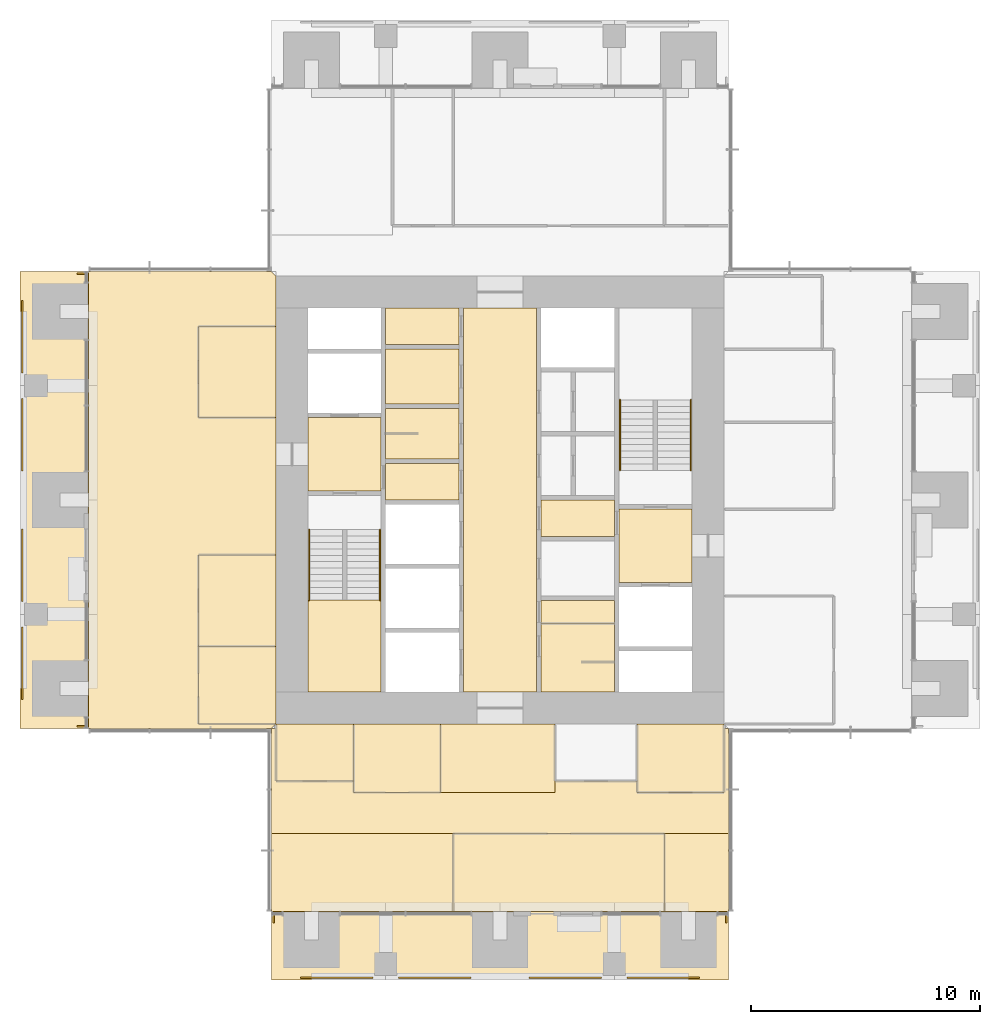
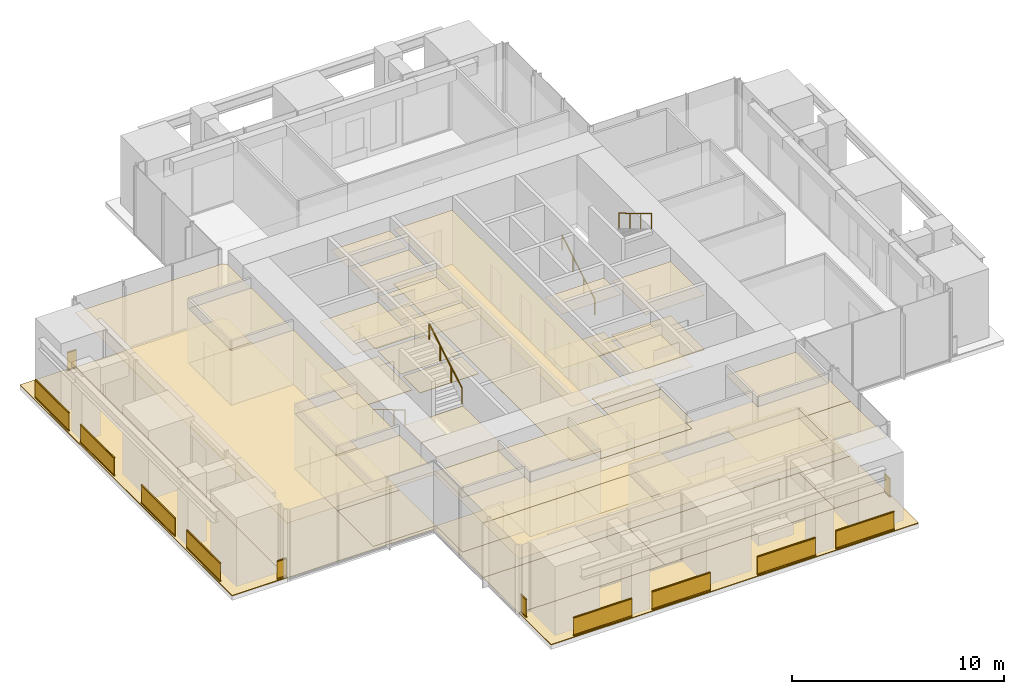
# One storey, part 15 of 17: 46 coverings, 16 railings.
"""IFC4 building model written with IfcOpenShell, lengths in metres."""

from ifc_helpers import new_model, si_unit, direction, frame, origin, origin_2d, place, context, subcontext, project, spatial, polyline, rectangle, circle, outline, extrude, material, layer, layer_set, type_object, element, save


model = new_model("IFC4")

# Units and contexts
model_context = context("Model", 3, precision=1e-05, world=origin(), true_north=direction((0.0, 1.0)))
body_context = subcontext(model_context, "Body", "Model", "MODEL_VIEW")
ifc_project = project(units=[si_unit("LENGTHUNIT", "METRE"), si_unit("AREAUNIT", "SQUARE_METRE"), si_unit("VOLUMEUNIT", "CUBIC_METRE"), si_unit("PLANEANGLEUNIT", "RADIAN"), si_unit("MASSUNIT", "GRAM", prefix="KILO")], contexts=[model_context])

# Site, building, storey
site_placement = place(None, origin())
site = spatial("IfcSite", under=ifc_project, at=site_placement, CompositionType="ELEMENT")
building_placement = place(site_placement, origin())
building = spatial("IfcBuilding", under=site, at=building_placement, Name="Svetlomir Tower", CompositionType="ELEMENT")
storey_placement = place(building_placement, frame((0.0, 0.0, 194.5)))
storey = spatial("IfcBuildingStorey", under=building, at=storey_placement, Name="L46", CompositionType="ELEMENT", Elevation=194.5)

# Railings
ifc_material_1 = material(Name="Bronze anodised aluminium and laminated glass", Category="aluminium")
railing_type_1 = type_object("IfcRailingType", Name="BALCONY GUARD GR1 1100", PredefinedType="GUARDRAIL", material=ifc_material_1)
for number, where, name in (
    (1, (12.27490234375, 0.10009765625, 0.0), "Loggia guard S L46 bay 1"),
    (2, (16.550048828125, 0.10009765625, 0.0), "Loggia guard S L46 bay 2"),
    (3, (22.27490234375, 0.10009765625, 0.0), "Loggia guard S L46 bay 3"),
    (4, (26.550048828125, 0.10009765625, 0.0), "Loggia guard S L46 bay 4"),
):
    element("IfcRailing", number, at=place(storey_placement, frame(where)), inside=storey, type_object=railing_type_1, Name=name, PredefinedType="GUARDRAIL", context=body_context, shape_type="SweptSolid", body=[
        extrude(rectangle(XDim=0.06005859375, YDim=0.10009765625, at=origin_2d()), frame((0.0, 0.0, 0.050048828125), z_axis=(1.0, 0.0, 0.0), x_axis=(0.0, 1.0, 0.0)), (0.0, 0.0, 1.0), 3.175048828125),
        extrude(rectangle(XDim=0.021484375, YDim=0.960205078125, at=origin_2d()), frame((0.0, 0.0, 0.580078125), z_axis=(1.0, 0.0, 0.0), x_axis=(0.0, 1.0, 0.0)), (0.0, 0.0, 1.0), 3.175048828125),
        extrude(rectangle(XDim=0.06005859375, YDim=0.0400390625, at=origin_2d()), frame((0.0, 0.0, 1.080078125), z_axis=(1.0, 0.0, 0.0), x_axis=(0.0, 1.0, 0.0)), (0.0, 0.0, 1.0), 3.175048828125),
    ])
for number, where, name in (
    (5, (11.10009765625, 2.5, 0.0), "Loggia guard S L46 end 1"),
    (6, (30.89990234375, 2.5, 0.0), "Loggia guard S L46 end 2"),
):
    element("IfcRailing", number, at=place(storey_placement, frame(where)), inside=storey, type_object=railing_type_1, Name=name, PredefinedType="GUARDRAIL", context=body_context, shape_type="SweptSolid", body=[
        extrude(rectangle(XDim=0.06005859375, YDim=0.10009765625, at=origin_2d()), frame((0.0, 0.0, 0.050048828125), z_axis=(0.0, 1.0, 0.0), x_axis=(-1.0, 0.0, 0.0)), (0.0, 0.0, 1.0), 0.5),
        extrude(rectangle(XDim=0.021484375, YDim=0.960205078125, at=origin_2d()), frame((0.0, 0.0, 0.580078125), z_axis=(0.0, 1.0, 0.0), x_axis=(-1.0, 0.0, 0.0)), (0.0, 0.0, 1.0), 0.5),
        extrude(rectangle(XDim=0.06005859375, YDim=0.0400390625, at=origin_2d()), frame((0.0, 0.0, 1.080078125), z_axis=(0.0, 1.0, 0.0), x_axis=(-1.0, 0.0, 0.0)), (0.0, 0.0, 1.0), 0.5),
    ])
for number, where, name in (
    (7, (0.10009765625, 12.27490234375, 0.0), "Loggia guard W L46 bay 1"),
    (8, (0.10009765625, 16.550048828125, 0.0), "Loggia guard W L46 bay 2"),
    (9, (0.10009765625, 22.27490234375, 0.0), "Loggia guard W L46 bay 3"),
    (10, (0.10009765625, 26.550048828125, 0.0), "Loggia guard W L46 bay 4"),
):
    element("IfcRailing", number, at=place(storey_placement, frame(where)), inside=storey, type_object=railing_type_1, Name=name, PredefinedType="GUARDRAIL", context=body_context, shape_type="SweptSolid", body=[
        extrude(rectangle(XDim=0.06005859375, YDim=0.10009765625, at=origin_2d()), frame((0.0, 0.0, 0.050048828125), z_axis=(0.0, 1.0, 0.0), x_axis=(-1.0, 0.0, 0.0)), (0.0, 0.0, 1.0), 3.175048828125),
        extrude(rectangle(XDim=0.021484375, YDim=0.960205078125, at=origin_2d()), frame((0.0, 0.0, 0.580078125), z_axis=(0.0, 1.0, 0.0), x_axis=(-1.0, 0.0, 0.0)), (0.0, 0.0, 1.0), 3.175048828125),
        extrude(rectangle(XDim=0.06005859375, YDim=0.0400390625, at=origin_2d()), frame((0.0, 0.0, 1.080078125), z_axis=(0.0, 1.0, 0.0), x_axis=(-1.0, 0.0, 0.0)), (0.0, 0.0, 1.0), 3.175048828125),
    ])
for number, where, name in (
    (11, (2.5, 11.10009765625, 0.0), "Loggia guard W L46 end 1"),
    (12, (2.5, 30.89990234375, 0.0), "Loggia guard W L46 end 2"),
):
    element("IfcRailing", number, at=place(storey_placement, frame(where)), inside=storey, type_object=railing_type_1, Name=name, PredefinedType="GUARDRAIL", context=body_context, shape_type="SweptSolid", body=[
        extrude(rectangle(XDim=0.06005859375, YDim=0.10009765625, at=origin_2d()), frame((0.0, 0.0, 0.050048828125), z_axis=(1.0, 0.0, 0.0), x_axis=(0.0, 1.0, 0.0)), (0.0, 0.0, 1.0), 0.5),
        extrude(rectangle(XDim=0.021484375, YDim=0.960205078125, at=origin_2d()), frame((0.0, 0.0, 0.580078125), z_axis=(1.0, 0.0, 0.0), x_axis=(0.0, 1.0, 0.0)), (0.0, 0.0, 1.0), 0.5),
        extrude(rectangle(XDim=0.06005859375, YDim=0.0400390625, at=origin_2d()), frame((0.0, 0.0, 1.080078125), z_axis=(1.0, 0.0, 0.0), x_axis=(0.0, 1.0, 0.0)), (0.0, 0.0, 1.0), 0.5),
    ])

# Coverings
ifc_material_2 = material(Name="Granite paving slabs on pedestals", Category="masonry")
ifc_layer_1 = layer(ifc_material_2, 0.0400390625)
ifc_layer_set_1 = layer_set([ifc_layer_1], Name="Granite paving slabs on pedestals")
covering_type_1 = type_object("IfcCoveringType", Name="BALCONY PAVING 40", PredefinedType="USERDEFINED", material=ifc_layer_set_1)
covering_1_placement = place(storey_placement, origin())
element("IfcCovering", 13, at=covering_1_placement, inside=storey, type_object=covering_type_1, Name="Loggia paving S L46", ObjectType="BALCONY PAVING", PredefinedType="USERDEFINED", context=body_context, shape_type="SweptSolid", body=[
    extrude(outline(polyline([(11.0, 0.0), (31.0, 0.0), (31.0, 3.0), (11.0, 3.0), (11.0, 0.0)])), origin(), (0.0, 0.0, 1.0), 0.0400390625),
])
covering_2_placement = place(storey_placement, origin())
element("IfcCovering", 14, at=covering_2_placement, inside=storey, type_object=covering_type_1, Name="Loggia paving W L46", ObjectType="BALCONY PAVING", PredefinedType="USERDEFINED", context=body_context, shape_type="SweptSolid", body=[
    extrude(outline(polyline([(0.0, 11.0), (3.0, 11.0), (3.0, 31.0), (0.0, 31.0), (0.0, 11.0)])), origin(), (0.0, 0.0, 1.0), 0.0400390625),
])
ifc_material_3 = material(Name="Carpet tile", Category="textile")
ifc_layer_2 = layer(ifc_material_3, 0.010009765625)
ifc_layer_set_2 = layer_set([ifc_layer_2], Name="Carpet tile")
covering_type_2 = type_object("IfcCoveringType", Name="CARPET TILE FLOOR 10", PredefinedType="FLOORING", material=ifc_layer_set_2)
covering_3_placement = place(storey_placement, origin())
element("IfcCovering", 15, at=covering_3_placement, inside=storey, type_object=covering_type_2, Name="Floor finish L46-18", PredefinedType="FLOORING", context=body_context, shape_type="SweptSolid", body=[
    extrude(outline(polyline([(11.199951171875, 8.699951171875), (14.60009765625, 8.699951171875), (14.60009765625, 11.199951171875), (11.199951171875, 11.199951171875), (11.199951171875, 8.699951171875)])), origin(), (0.0, 0.0, 1.0), 0.010009765625),
])
covering_4_placement = place(storey_placement, origin())
element("IfcCovering", 16, at=covering_4_placement, inside=storey, type_object=covering_type_2, Name="Floor finish L46-19", PredefinedType="FLOORING", context=body_context, shape_type="SweptSolid", body=[
    extrude(outline(polyline([(14.60009765625, 8.199951171875), (18.39990234375, 8.199951171875), (18.39990234375, 11.199951171875), (14.60009765625, 11.199951171875), (14.60009765625, 8.199951171875)])), origin(), (0.0, 0.0, 1.0), 0.010009765625),
])
covering_5_placement = place(storey_placement, origin())
element("IfcCovering", 17, at=covering_5_placement, inside=storey, type_object=covering_type_2, Name="Floor finish L46-21", PredefinedType="FLOORING", context=body_context, shape_type="SweptSolid", body=[
    extrude(outline(polyline([(27.0, 8.199951171875), (30.800048828125, 8.199951171875), (30.800048828125, 11.199951171875), (27.0, 11.199951171875), (27.0, 8.199951171875)])), origin(), (0.0, 0.0, 1.0), 0.010009765625),
])
covering_6_placement = place(storey_placement, origin())
element("IfcCovering", 18, at=covering_6_placement, inside=storey, type_object=covering_type_2, Name="Floor finish L46-22", PredefinedType="FLOORING", context=body_context, shape_type="SweptSolid", body=[
    extrude(outline(polyline([(18.949951171875, 3.0), (28.199951171875, 3.0), (28.199951171875, 6.39990234375), (18.949951171875, 6.39990234375), (18.949951171875, 3.0)])), origin(), (0.0, 0.0, 1.0), 0.010009765625),
])
covering_7_placement = place(storey_placement, origin())
element("IfcCovering", 19, at=covering_7_placement, inside=storey, type_object=covering_type_2, Name="Floor finish L46-30", PredefinedType="FLOORING", context=body_context, shape_type="SweptSolid", body=[
    extrude(outline(polyline([(7.800048828125, 11.199951171875), (11.199951171875, 11.199951171875), (11.199951171875, 14.60009765625), (7.800048828125, 14.60009765625), (7.800048828125, 11.199951171875)])), origin(), (0.0, 0.0, 1.0), 0.010009765625),
])
covering_8_placement = place(storey_placement, origin())
element("IfcCovering", 20, at=covering_8_placement, inside=storey, type_object=covering_type_2, Name="Floor finish L46-31", PredefinedType="FLOORING", context=body_context, shape_type="SweptSolid", body=[
    extrude(outline(polyline([(7.800048828125, 14.60009765625), (11.199951171875, 14.60009765625), (11.199951171875, 18.60009765625), (7.800048828125, 18.60009765625), (7.800048828125, 14.60009765625)])), origin(), (0.0, 0.0, 1.0), 0.010009765625),
])
covering_9_placement = place(storey_placement, origin())
element("IfcCovering", 21, at=covering_9_placement, inside=storey, type_object=covering_type_2, Name="Floor finish L46-32", PredefinedType="FLOORING", context=body_context, shape_type="SweptSolid", body=[
    extrude(outline(polyline([(7.800048828125, 24.60009765625), (11.199951171875, 24.60009765625), (11.199951171875, 28.60009765625), (7.800048828125, 28.60009765625), (7.800048828125, 24.60009765625)])), origin(), (0.0, 0.0, 1.0), 0.010009765625),
])
covering_10_placement = place(storey_placement, origin())
element("IfcCovering", 22, at=covering_10_placement, inside=storey, type_object=covering_type_2, Name="Floor finish L46-33", PredefinedType="FLOORING", context=body_context, shape_type="SweptSolid", body=[
    extrude(outline(polyline([(23.39990234375, 8.699951171875), (27.0, 8.699951171875), (27.0, 8.199951171875), (30.800048828125, 8.199951171875), (30.800048828125, 11.0), (31.0, 11.0), (31.0, 6.39990234375), (11.0, 6.39990234375), (11.0, 11.0), (11.199951171875, 11.0), (11.199951171875, 8.699951171875), (14.60009765625, 8.699951171875), (14.60009765625, 8.199951171875), (23.39990234375, 8.199951171875), (23.39990234375, 8.699951171875)])), origin(), (0.0, 0.0, 1.0), 0.010009765625),
])
covering_11_placement = place(storey_placement, origin())
element("IfcCovering", 23, at=covering_11_placement, inside=storey, type_object=covering_type_2, Name="Floor finish L46-35", PredefinedType="FLOORING", context=body_context, shape_type="SweptSolid", body=[
    extrude(outline(polyline([(18.949951171875, 6.39990234375), (18.949951171875, 3.0), (11.0, 3.0), (11.0, 6.39990234375), (18.949951171875, 6.39990234375)])), origin(), (0.0, 0.0, 1.0), 0.010009765625),
])
covering_12_placement = place(storey_placement, origin())
element("IfcCovering", 24, at=covering_12_placement, inside=storey, type_object=covering_type_2, Name="Floor finish L46-36", PredefinedType="FLOORING", context=body_context, shape_type="SweptSolid", body=[
    extrude(outline(polyline([(28.199951171875, 3.0), (28.199951171875, 6.39990234375), (31.0, 6.39990234375), (31.0, 3.0), (28.199951171875, 3.0)])), origin(), (0.0, 0.0, 1.0), 0.010009765625),
])
covering_13_placement = place(storey_placement, origin())
element("IfcCovering", 25, at=covering_13_placement, inside=storey, type_object=covering_type_2, Name="Floor finish L46-37", PredefinedType="FLOORING", context=body_context, shape_type="SweptSolid", body=[
    extrude(outline(polyline([(23.39990234375, 11.199951171875), (23.39990234375, 8.199951171875), (18.39990234375, 8.199951171875), (18.39990234375, 11.199951171875), (23.39990234375, 11.199951171875)])), origin(), (0.0, 0.0, 1.0), 0.010009765625),
])
covering_14_placement = place(storey_placement, origin())
element("IfcCovering", 26, at=covering_14_placement, inside=storey, type_object=covering_type_2, Name="Floor finish L46-40", PredefinedType="FLOORING", context=body_context, shape_type="SweptSolid", body=[
    extrude(outline(polyline([(3.0, 31.0), (11.0, 31.0), (11.199951171875, 30.800048828125), (11.199951171875, 28.60009765625), (7.800048828125, 28.60009765625), (7.800048828125, 24.60009765625), (11.199951171875, 24.60009765625), (11.199951171875, 18.60009765625), (7.800048828125, 18.60009765625), (7.800048828125, 11.199951171875), (11.199951171875, 11.199951171875), (11.0, 11.0), (3.0, 11.0), (3.0, 31.0)])), origin(), (0.0, 0.0, 1.0), 0.010009765625),
])
ifc_material_4 = material(Name="Ceramic floor tile", Category="ceramic")
ifc_layer_3 = layer(ifc_material_4, 0.014892578125)
ifc_layer_set_3 = layer_set([ifc_layer_3], Name="Ceramic floor tile")
covering_type_3 = type_object("IfcCoveringType", Name="CERAMIC TILE FLOOR 15", PredefinedType="FLOORING", material=ifc_layer_set_3)
covering_15_placement = place(storey_placement, origin())
element("IfcCovering", 27, at=covering_15_placement, inside=storey, type_object=covering_type_3, Name="Floor finish L46-04", PredefinedType="FLOORING", context=body_context, shape_type="SweptSolid", body=[
    extrude(outline(polyline([(16.0, 22.800048828125), (19.199951171875, 22.800048828125), (19.199951171875, 25.0), (16.0, 25.0), (16.0, 22.800048828125)])), origin(), (0.0, 0.0, 1.0), 0.014892578125),
])
covering_16_placement = place(storey_placement, origin())
element("IfcCovering", 28, at=covering_16_placement, inside=storey, type_object=covering_type_3, Name="Floor finish L46-05", PredefinedType="FLOORING", context=body_context, shape_type="SweptSolid", body=[
    extrude(outline(polyline([(16.0, 25.199951171875), (19.199951171875, 25.199951171875), (19.199951171875, 27.60009765625), (16.0, 27.60009765625), (16.0, 25.199951171875)])), origin(), (0.0, 0.0, 1.0), 0.014892578125),
])
covering_17_placement = place(storey_placement, origin())
element("IfcCovering", 29, at=covering_17_placement, inside=storey, type_object=covering_type_3, Name="Floor finish L46-08", PredefinedType="FLOORING", context=body_context, shape_type="SweptSolid", body=[
    extrude(outline(polyline([(22.800048828125, 15.60009765625), (26.0, 15.60009765625), (26.0, 16.60009765625), (22.800048828125, 16.60009765625), (22.800048828125, 15.60009765625)])), origin(), (0.0, 0.0, 1.0), 0.014892578125),
])
covering_18_placement = place(storey_placement, origin())
element("IfcCovering", 30, at=covering_18_placement, inside=storey, type_object=covering_type_3, Name="Floor finish L46-09", PredefinedType="FLOORING", context=body_context, shape_type="SweptSolid", body=[
    extrude(outline(polyline([(22.800048828125, 12.60009765625), (26.0, 12.60009765625), (26.0, 15.60009765625), (22.800048828125, 15.60009765625), (22.800048828125, 12.60009765625)])), origin(), (0.0, 0.0, 1.0), 0.014892578125),
])

# Railings
ifc_material_5 = material(Name="Stainless steel", Category="steel")
railing_type_2 = type_object("IfcRailingType", Name="HANDRAIL HR1 900", PredefinedType="HANDRAIL", material=ifc_material_5)
railing_1_placement = place(storey_placement, frame((12.64990234375, 19.699951171875, 0.166748046875)))
element("IfcRailing", 31, at=railing_1_placement, inside=storey, type_object=railing_type_2, Name="Handrail S1 flight 1 L46", PredefinedType="HANDRAIL", context=body_context, shape_type="SweptSolid", body=[
    extrude(circle(Radius=0.02392578125, at=origin_2d()), frame((0.0, 0.0, 0.8759765625), z_axis=(0.0, -0.859290745958, 0.51148745235), x_axis=(1.0, 0.0, 0.0)), (0.0, 0.0, 1.0), 3.584228515625),
    extrude(circle(Radius=0.02099609375, at=origin_2d()), origin(), (0.0, 0.0, 1.0), 0.851806640625),
    extrude(circle(Radius=0.02099609375, at=origin_2d()), frame((0.0, -1.026611328125, 0.611083984375)), (0.0, 0.0, 1.0), 0.851806640625),
    extrude(circle(Radius=0.02099609375, at=origin_2d()), frame((0.0, -2.05322265625, 1.22216796875)), (0.0, 0.0, 1.0), 0.851806640625),
    extrude(circle(Radius=0.02099609375, at=origin_2d()), frame((0.0, -3.079833984375, 1.833251953125)), (0.0, 0.0, 1.0), 0.851806640625),
])
for number, where, name in (
    (32, (15.75, 16.6201171875, 2.166748046875), "Handrail S1 flight 2 L46"),
    (33, (26.25, 22.300048828125, 0.166748046875), "Handrail S2 flight 1 L46"),
):
    element("IfcRailing", number, at=place(storey_placement, frame(where)), inside=storey, type_object=railing_type_2, Name=name, PredefinedType="HANDRAIL", context=body_context, shape_type="SweptSolid", body=[
        extrude(circle(Radius=0.02392578125, at=origin_2d()), frame((0.0, 0.0, 0.8759765625), z_axis=(0.0, 0.859290745958, 0.51148745235), x_axis=(-1.0, 0.0, 0.0)), (0.0, 0.0, 1.0), 3.584228515625),
        extrude(circle(Radius=0.02099609375, at=origin_2d()), origin(), (0.0, 0.0, 1.0), 0.851806640625),
        extrude(circle(Radius=0.02099609375, at=origin_2d()), frame((0.0, 1.026611328125, 0.611083984375)), (0.0, 0.0, 1.0), 0.851806640625),
        extrude(circle(Radius=0.02099609375, at=origin_2d()), frame((0.0, 2.05322265625, 1.22216796875)), (0.0, 0.0, 1.0), 0.851806640625),
        extrude(circle(Radius=0.02099609375, at=origin_2d()), frame((0.0, 3.079833984375, 1.833251953125)), (0.0, 0.0, 1.0), 0.851806640625),
    ])
railing_2_placement = place(storey_placement, frame((29.35009765625, 25.3798828125, 2.166748046875)))
element("IfcRailing", 34, at=railing_2_placement, inside=storey, type_object=railing_type_2, Name="Handrail S2 flight 2 L46", PredefinedType="HANDRAIL", context=body_context, shape_type="SweptSolid", body=[
    extrude(circle(Radius=0.02392578125, at=origin_2d()), frame((0.0, 0.0, 0.8759765625), z_axis=(0.0, -0.859290745958, 0.51148745235), x_axis=(1.0, 0.0, 0.0)), (0.0, 0.0, 1.0), 3.584228515625),
    extrude(circle(Radius=0.02099609375, at=origin_2d()), origin(), (0.0, 0.0, 1.0), 0.851806640625),
    extrude(circle(Radius=0.02099609375, at=origin_2d()), frame((0.0, -1.026611328125, 0.611083984375)), (0.0, 0.0, 1.0), 0.851806640625),
    extrude(circle(Radius=0.02099609375, at=origin_2d()), frame((0.0, -2.05322265625, 1.22216796875)), (0.0, 0.0, 1.0), 0.851806640625),
    extrude(circle(Radius=0.02099609375, at=origin_2d()), frame((0.0, -3.079833984375, 1.833251953125)), (0.0, 0.0, 1.0), 0.851806640625),
])

# Coverings
ifc_material_6 = material(Name="Moisture resistant plasterboard ceiling", Category="gypsum")
ifc_layer_4 = layer(ifc_material_6, 0.012451171875)
ifc_layer_set_4 = layer_set([ifc_layer_4], Name="Moisture resistant plasterboard ceiling")
covering_type_4 = type_object("IfcCoveringType", Name="MOISTURE RESISTANT CEILING 12.5", PredefinedType="CEILING", material=ifc_layer_set_4)
covering_19_placement = place(storey_placement, frame((0.0, 0.0, 3.137451171875)))
element("IfcCovering", 35, at=covering_19_placement, inside=storey, type_object=covering_type_4, Name="Ceiling L46-04", PredefinedType="CEILING", context=body_context, shape_type="SweptSolid", body=[
    extrude(outline(polyline([(16.0, 22.800048828125), (19.199951171875, 22.800048828125), (19.199951171875, 25.0), (16.0, 25.0), (16.0, 22.800048828125)])), origin(), (0.0, 0.0, 1.0), 0.012451171875),
])
covering_20_placement = place(storey_placement, frame((0.0, 0.0, 3.137451171875)))
element("IfcCovering", 36, at=covering_20_placement, inside=storey, type_object=covering_type_4, Name="Ceiling L46-05", PredefinedType="CEILING", context=body_context, shape_type="SweptSolid", body=[
    extrude(outline(polyline([(16.0, 25.199951171875), (19.199951171875, 25.199951171875), (19.199951171875, 27.60009765625), (16.0, 27.60009765625), (16.0, 25.199951171875)])), origin(), (0.0, 0.0, 1.0), 0.012451171875),
])
covering_21_placement = place(storey_placement, frame((0.0, 0.0, 3.137451171875)))
element("IfcCovering", 37, at=covering_21_placement, inside=storey, type_object=covering_type_4, Name="Ceiling L46-08", PredefinedType="CEILING", context=body_context, shape_type="SweptSolid", body=[
    extrude(outline(polyline([(22.800048828125, 15.60009765625), (26.0, 15.60009765625), (26.0, 16.60009765625), (22.800048828125, 16.60009765625), (22.800048828125, 15.60009765625)])), origin(), (0.0, 0.0, 1.0), 0.012451171875),
])
covering_22_placement = place(storey_placement, frame((0.0, 0.0, 3.137451171875)))
element("IfcCovering", 38, at=covering_22_placement, inside=storey, type_object=covering_type_4, Name="Ceiling L46-09", PredefinedType="CEILING", context=body_context, shape_type="SweptSolid", body=[
    extrude(outline(polyline([(22.800048828125, 12.60009765625), (26.0, 12.60009765625), (26.0, 15.60009765625), (22.800048828125, 15.60009765625), (22.800048828125, 12.60009765625)])), origin(), (0.0, 0.0, 1.0), 0.012451171875),
])
ifc_material_7 = material(Name="Gypsum plasterboard ceiling", Category="gypsum")
ifc_layer_5 = layer(ifc_material_7, 0.014892578125)
ifc_layer_set_5 = layer_set([ifc_layer_5], Name="Gypsum plasterboard ceiling")
covering_type_5 = type_object("IfcCoveringType", Name="PLASTERBOARD CEILING 15", PredefinedType="CEILING", material=ifc_layer_set_5)
covering_23_placement = place(storey_placement, frame((0.0, 0.0, 3.135009765625)))
element("IfcCovering", 39, at=covering_23_placement, inside=storey, type_object=covering_type_5, Name="Ceiling L46-02", PredefinedType="CEILING", context=body_context, shape_type="SweptSolid", body=[
    extrude(outline(polyline([(12.60009765625, 21.39990234375), (15.800048828125, 21.39990234375), (15.800048828125, 24.60009765625), (12.60009765625, 24.60009765625), (12.60009765625, 21.39990234375)])), origin(), (0.0, 0.0, 1.0), 0.014892578125),
])
covering_24_placement = place(storey_placement, frame((0.0, 0.0, 3.135009765625)))
element("IfcCovering", 40, at=covering_24_placement, inside=storey, type_object=covering_type_5, Name="Ceiling L46-03", PredefinedType="CEILING", context=body_context, shape_type="SweptSolid", body=[
    extrude(outline(polyline([(16.0, 21.0), (19.199951171875, 21.0), (19.199951171875, 22.60009765625), (16.0, 22.60009765625), (16.0, 21.0)])), origin(), (0.0, 0.0, 1.0), 0.014892578125),
])
covering_25_placement = place(storey_placement, frame((0.0, 0.0, 3.135009765625)))
element("IfcCovering", 41, at=covering_25_placement, inside=storey, type_object=covering_type_5, Name="Ceiling L46-06", PredefinedType="CEILING", context=body_context, shape_type="SweptSolid", body=[
    extrude(outline(polyline([(16.0, 27.800048828125), (19.199951171875, 27.800048828125), (19.199951171875, 29.39990234375), (16.0, 29.39990234375), (16.0, 27.800048828125)])), origin(), (0.0, 0.0, 1.0), 0.014892578125),
])
covering_26_placement = place(storey_placement, frame((0.0, 0.0, 3.135009765625)))
element("IfcCovering", 42, at=covering_26_placement, inside=storey, type_object=covering_type_5, Name="Ceiling L46-07", PredefinedType="CEILING", context=body_context, shape_type="SweptSolid", body=[
    extrude(outline(polyline([(19.39990234375, 12.60009765625), (22.60009765625, 12.60009765625), (22.60009765625, 29.39990234375), (19.39990234375, 29.39990234375), (19.39990234375, 12.60009765625)])), origin(), (0.0, 0.0, 1.0), 0.014892578125),
])
covering_27_placement = place(storey_placement, frame((0.0, 0.0, 3.135009765625)))
element("IfcCovering", 43, at=covering_27_placement, inside=storey, type_object=covering_type_5, Name="Ceiling L46-11", PredefinedType="CEILING", context=body_context, shape_type="SweptSolid", body=[
    extrude(outline(polyline([(22.800048828125, 19.39990234375), (26.0, 19.39990234375), (26.0, 21.0), (22.800048828125, 21.0), (22.800048828125, 19.39990234375)])), origin(), (0.0, 0.0, 1.0), 0.014892578125),
])
covering_28_placement = place(storey_placement, frame((0.0, 0.0, 3.135009765625)))
element("IfcCovering", 44, at=covering_28_placement, inside=storey, type_object=covering_type_5, Name="Ceiling L46-12", PredefinedType="CEILING", context=body_context, shape_type="SweptSolid", body=[
    extrude(outline(polyline([(26.199951171875, 17.39990234375), (29.39990234375, 17.39990234375), (29.39990234375, 20.60009765625), (26.199951171875, 20.60009765625), (26.199951171875, 17.39990234375)])), origin(), (0.0, 0.0, 1.0), 0.014892578125),
])
ifc_material_8 = material(Name="Studded rubber floor finish", Category="rubber")
ifc_layer_6 = layer(ifc_material_8, 0.006103515625)
ifc_layer_set_6 = layer_set([ifc_layer_6], Name="Studded rubber floor finish")
covering_type_6 = type_object("IfcCoveringType", Name="RUBBER LANDING FINISH 6", PredefinedType="FLOORING", material=ifc_layer_set_6)
covering_29_placement = place(storey_placement, frame((0.0, 0.0, 2.0)))
element("IfcCovering", 45, at=covering_29_placement, inside=storey, type_object=covering_type_6, Name="Stair S1 landing finish L46", PredefinedType="FLOORING", context=body_context, shape_type="SweptSolid", body=[
    extrude(outline(polyline([(12.60009765625, 12.60009765625), (15.800048828125, 12.60009765625), (15.800048828125, 16.6201171875), (12.60009765625, 16.6201171875), (12.60009765625, 12.60009765625)])), origin(), (0.0, 0.0, 1.0), 0.006103515625),
])
ifc_material_9 = material(Name="Mineral fibre ceiling tile", Category="mineral")
ifc_layer_7 = layer(ifc_material_9, 0.02001953125)
ifc_layer_set_7 = layer_set([ifc_layer_7], Name="Mineral fibre ceiling tile")
covering_type_7 = type_object("IfcCoveringType", Name="SUSPENDED CEILING 20", PredefinedType="CEILING", material=ifc_layer_set_7)
covering_30_placement = place(storey_placement, frame((0.0, 0.0, 3.1298828125)))
element("IfcCovering", 46, at=covering_30_placement, inside=storey, type_object=covering_type_7, Name="Ceiling L46-18", PredefinedType="CEILING", context=body_context, shape_type="SweptSolid", body=[
    extrude(outline(polyline([(11.199951171875, 8.699951171875), (14.60009765625, 8.699951171875), (14.60009765625, 11.199951171875), (11.199951171875, 11.199951171875), (11.199951171875, 8.699951171875)])), origin(), (0.0, 0.0, 1.0), 0.02001953125),
])
covering_31_placement = place(storey_placement, frame((0.0, 0.0, 3.1298828125)))
element("IfcCovering", 47, at=covering_31_placement, inside=storey, type_object=covering_type_7, Name="Ceiling L46-19", PredefinedType="CEILING", context=body_context, shape_type="SweptSolid", body=[
    extrude(outline(polyline([(14.60009765625, 8.199951171875), (18.39990234375, 8.199951171875), (18.39990234375, 11.199951171875), (14.60009765625, 11.199951171875), (14.60009765625, 8.199951171875)])), origin(), (0.0, 0.0, 1.0), 0.02001953125),
])
covering_32_placement = place(storey_placement, frame((0.0, 0.0, 3.1298828125)))
element("IfcCovering", 48, at=covering_32_placement, inside=storey, type_object=covering_type_7, Name="Ceiling L46-21", PredefinedType="CEILING", context=body_context, shape_type="SweptSolid", body=[
    extrude(outline(polyline([(27.0, 8.199951171875), (30.800048828125, 8.199951171875), (30.800048828125, 11.199951171875), (27.0, 11.199951171875), (27.0, 8.199951171875)])), origin(), (0.0, 0.0, 1.0), 0.02001953125),
])
covering_33_placement = place(storey_placement, frame((0.0, 0.0, 3.1298828125)))
element("IfcCovering", 49, at=covering_33_placement, inside=storey, type_object=covering_type_7, Name="Ceiling L46-22", PredefinedType="CEILING", context=body_context, shape_type="SweptSolid", body=[
    extrude(outline(polyline([(18.949951171875, 3.0), (28.199951171875, 3.0), (28.199951171875, 6.39990234375), (18.949951171875, 6.39990234375), (18.949951171875, 3.0)])), origin(), (0.0, 0.0, 1.0), 0.02001953125),
])
covering_34_placement = place(storey_placement, frame((0.0, 0.0, 3.1298828125)))
element("IfcCovering", 50, at=covering_34_placement, inside=storey, type_object=covering_type_7, Name="Ceiling L46-30", PredefinedType="CEILING", context=body_context, shape_type="SweptSolid", body=[
    extrude(outline(polyline([(7.800048828125, 11.199951171875), (11.199951171875, 11.199951171875), (11.199951171875, 14.60009765625), (7.800048828125, 14.60009765625), (7.800048828125, 11.199951171875)])), origin(), (0.0, 0.0, 1.0), 0.02001953125),
])
covering_35_placement = place(storey_placement, frame((0.0, 0.0, 3.1298828125)))
element("IfcCovering", 51, at=covering_35_placement, inside=storey, type_object=covering_type_7, Name="Ceiling L46-31", PredefinedType="CEILING", context=body_context, shape_type="SweptSolid", body=[
    extrude(outline(polyline([(7.800048828125, 14.60009765625), (11.199951171875, 14.60009765625), (11.199951171875, 18.60009765625), (7.800048828125, 18.60009765625), (7.800048828125, 14.60009765625)])), origin(), (0.0, 0.0, 1.0), 0.02001953125),
])
covering_36_placement = place(storey_placement, frame((0.0, 0.0, 3.1298828125)))
element("IfcCovering", 52, at=covering_36_placement, inside=storey, type_object=covering_type_7, Name="Ceiling L46-32", PredefinedType="CEILING", context=body_context, shape_type="SweptSolid", body=[
    extrude(outline(polyline([(7.800048828125, 24.60009765625), (11.199951171875, 24.60009765625), (11.199951171875, 28.60009765625), (7.800048828125, 28.60009765625), (7.800048828125, 24.60009765625)])), origin(), (0.0, 0.0, 1.0), 0.02001953125),
])
covering_37_placement = place(storey_placement, frame((0.0, 0.0, 3.1298828125)))
element("IfcCovering", 53, at=covering_37_placement, inside=storey, type_object=covering_type_7, Name="Ceiling L46-33", PredefinedType="CEILING", context=body_context, shape_type="SweptSolid", body=[
    extrude(outline(polyline([(23.39990234375, 8.699951171875), (27.0, 8.699951171875), (27.0, 8.199951171875), (30.800048828125, 8.199951171875), (30.800048828125, 11.0), (31.0, 11.0), (31.0, 6.39990234375), (11.0, 6.39990234375), (11.0, 11.0), (11.199951171875, 11.0), (11.199951171875, 8.699951171875), (14.60009765625, 8.699951171875), (14.60009765625, 8.199951171875), (23.39990234375, 8.199951171875), (23.39990234375, 8.699951171875)])), origin(), (0.0, 0.0, 1.0), 0.02001953125),
])
covering_38_placement = place(storey_placement, frame((0.0, 0.0, 3.1298828125)))
element("IfcCovering", 54, at=covering_38_placement, inside=storey, type_object=covering_type_7, Name="Ceiling L46-35", PredefinedType="CEILING", context=body_context, shape_type="SweptSolid", body=[
    extrude(outline(polyline([(18.949951171875, 6.39990234375), (18.949951171875, 3.0), (11.0, 3.0), (11.0, 6.39990234375), (18.949951171875, 6.39990234375)])), origin(), (0.0, 0.0, 1.0), 0.02001953125),
])
covering_39_placement = place(storey_placement, frame((0.0, 0.0, 3.1298828125)))
element("IfcCovering", 55, at=covering_39_placement, inside=storey, type_object=covering_type_7, Name="Ceiling L46-36", PredefinedType="CEILING", context=body_context, shape_type="SweptSolid", body=[
    extrude(outline(polyline([(28.199951171875, 3.0), (28.199951171875, 6.39990234375), (31.0, 6.39990234375), (31.0, 3.0), (28.199951171875, 3.0)])), origin(), (0.0, 0.0, 1.0), 0.02001953125),
])
covering_40_placement = place(storey_placement, frame((0.0, 0.0, 3.1298828125)))
element("IfcCovering", 56, at=covering_40_placement, inside=storey, type_object=covering_type_7, Name="Ceiling L46-37", PredefinedType="CEILING", context=body_context, shape_type="SweptSolid", body=[
    extrude(outline(polyline([(23.39990234375, 11.199951171875), (23.39990234375, 8.199951171875), (18.39990234375, 8.199951171875), (18.39990234375, 11.199951171875), (23.39990234375, 11.199951171875)])), origin(), (0.0, 0.0, 1.0), 0.02001953125),
])
covering_41_placement = place(storey_placement, frame((0.0, 0.0, 3.1298828125)))
element("IfcCovering", 57, at=covering_41_placement, inside=storey, type_object=covering_type_7, Name="Ceiling L46-40", PredefinedType="CEILING", context=body_context, shape_type="SweptSolid", body=[
    extrude(outline(polyline([(3.0, 31.0), (11.0, 31.0), (11.199951171875, 30.800048828125), (11.199951171875, 28.60009765625), (7.800048828125, 28.60009765625), (7.800048828125, 24.60009765625), (11.199951171875, 24.60009765625), (11.199951171875, 18.60009765625), (7.800048828125, 18.60009765625), (7.800048828125, 11.199951171875), (11.199951171875, 11.199951171875), (11.0, 11.0), (3.0, 11.0), (3.0, 31.0)])), origin(), (0.0, 0.0, 1.0), 0.02001953125),
])
ifc_material_10 = material(Name="Bronze-aggregate terrazzo", Category="stone")
ifc_layer_8 = layer(ifc_material_10, 0.030029296875)
ifc_layer_set_8 = layer_set([ifc_layer_8], Name="Bronze-aggregate terrazzo")
covering_type_8 = type_object("IfcCoveringType", Name="TERRAZZO FLOOR 30", PredefinedType="FLOORING", material=ifc_layer_set_8)
covering_42_placement = place(storey_placement, origin())
element("IfcCovering", 58, at=covering_42_placement, inside=storey, type_object=covering_type_8, Name="Floor finish L46-02", PredefinedType="FLOORING", context=body_context, shape_type="SweptSolid", body=[
    extrude(outline(polyline([(12.60009765625, 21.39990234375), (15.800048828125, 21.39990234375), (15.800048828125, 24.60009765625), (12.60009765625, 24.60009765625), (12.60009765625, 21.39990234375)])), origin(), (0.0, 0.0, 1.0), 0.030029296875),
])
covering_43_placement = place(storey_placement, origin())
element("IfcCovering", 59, at=covering_43_placement, inside=storey, type_object=covering_type_8, Name="Floor finish L46-03", PredefinedType="FLOORING", context=body_context, shape_type="SweptSolid", body=[
    extrude(outline(polyline([(16.0, 21.0), (19.199951171875, 21.0), (19.199951171875, 22.60009765625), (16.0, 22.60009765625), (16.0, 21.0)])), origin(), (0.0, 0.0, 1.0), 0.030029296875),
])
covering_44_placement = place(storey_placement, origin())
element("IfcCovering", 60, at=covering_44_placement, inside=storey, type_object=covering_type_8, Name="Floor finish L46-07", PredefinedType="FLOORING", context=body_context, shape_type="SweptSolid", body=[
    extrude(outline(polyline([(19.39990234375, 12.60009765625), (22.60009765625, 12.60009765625), (22.60009765625, 29.39990234375), (19.39990234375, 29.39990234375), (19.39990234375, 12.60009765625)])), origin(), (0.0, 0.0, 1.0), 0.030029296875),
])
covering_45_placement = place(storey_placement, origin())
element("IfcCovering", 61, at=covering_45_placement, inside=storey, type_object=covering_type_8, Name="Floor finish L46-11", PredefinedType="FLOORING", context=body_context, shape_type="SweptSolid", body=[
    extrude(outline(polyline([(22.800048828125, 19.39990234375), (26.0, 19.39990234375), (26.0, 21.0), (22.800048828125, 21.0), (22.800048828125, 19.39990234375)])), origin(), (0.0, 0.0, 1.0), 0.030029296875),
])
covering_46_placement = place(storey_placement, origin())
element("IfcCovering", 62, at=covering_46_placement, inside=storey, type_object=covering_type_8, Name="Floor finish L46-12", PredefinedType="FLOORING", context=body_context, shape_type="SweptSolid", body=[
    extrude(outline(polyline([(26.199951171875, 17.39990234375), (29.39990234375, 17.39990234375), (29.39990234375, 20.60009765625), (26.199951171875, 20.60009765625), (26.199951171875, 17.39990234375)])), origin(), (0.0, 0.0, 1.0), 0.030029296875),
])

save(model, "model.ifc")
